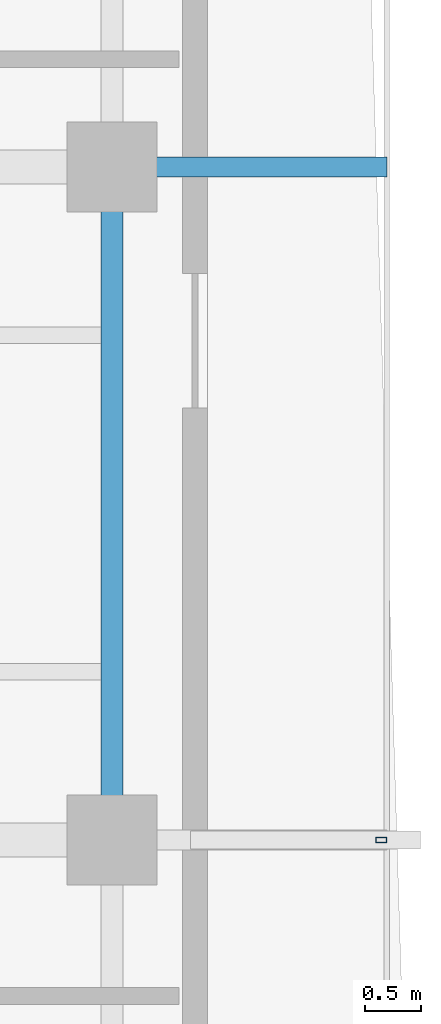
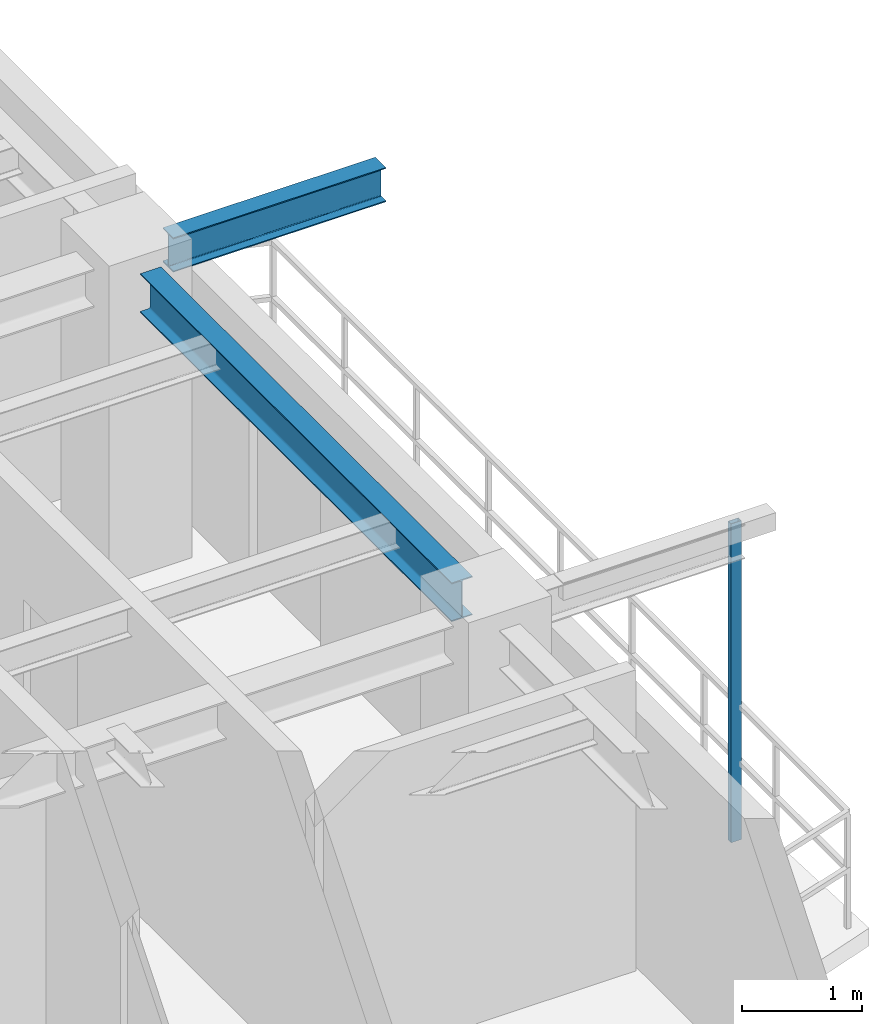
# One storey, part 7 of 15: 2 beams, 1 member.
"""IFC4 building model written with IfcOpenShell, lengths in metres."""

import ifcopenshell
import ifcopenshell.guid

model = None  # the IFC model being written
_history = None  # IfcOwnerHistory: only IFC2X3 demands one
_inside = {}  # id of a spatial element -> (the spatial element, [elements in it])
_under = {}  # id of a project, library or spatial element -> (it, [spatial elements below it])
_declared = {}  # id of a project -> (the project, [libraries it declares])
_typed = {}  # id of a type object -> (the type object, [elements of that type])
_made_of = {}  # id of a material, layer set ... -> (it, [elements and type objects made of it])


def new_model(schema):
    """Start an empty IFC model of exactly this schema.

    Asked for "IFC4X3", IfcOpenShell would pick the latest addendum, in which some entities
    have other attributes; the version numbers below select the first issue.
    IFC2X3 requires an IfcOwnerHistory on every rooted entity: one is made here for all.
    """
    global model, _history
    if schema == "IFC4X3":
        model = ifcopenshell.file(schema_version=(4, 3, 0, 0))
    else:
        model = ifcopenshell.file(schema=schema)
    _inside.clear()
    _under.clear()
    _declared.clear()
    _typed.clear()
    _made_of.clear()
    _history = None
    if model.schema == "IFC2X3":
        org = make("IfcOrganization", Name="unknown")
        user = make(
            "IfcPersonAndOrganization",
            ThePerson=make("IfcPerson", FamilyName="unknown"),
            TheOrganization=org,
        )
        app = make(
            "IfcApplication",
            ApplicationDeveloper=org,
            Version="unknown",
            ApplicationFullName="unknown",
            ApplicationIdentifier="unknown",
        )
        _history = make(
            "IfcOwnerHistory",
            OwningUser=user,
            OwningApplication=app,
            ChangeAction="ADDED",
            CreationDate=0,
        )
    return model


def make(cls, **values):
    """One entity of the class cls with the attributes given. An attribute that is None is left unset."""
    return model.create_entity(
        cls, **{name: value for name, value in values.items() if value is not None}
    )


def rooted(cls, **values):
    """An entity with a GlobalId (a new one), such as an element, a storey or a relation."""
    return make(cls, GlobalId=ifcopenshell.guid.new(), OwnerHistory=_history, **values)


def si_unit(unit_type, name, prefix=None):
    """IfcSIUnit, for example si_unit("LENGTHUNIT", "METRE", prefix="MILLI")."""
    return make("IfcSIUnit", UnitType=unit_type, Prefix=prefix, Name=name)


def assignment(units):
    """IfcUnitAssignment: the units of a project."""
    return None if units is None else make("IfcUnitAssignment", Units=units)


def point(xyz):
    """IfcCartesianPoint."""
    return None if xyz is None else make("IfcCartesianPoint", Coordinates=xyz)


def direction(xyz):
    """IfcDirection."""
    return None if xyz is None else make("IfcDirection", DirectionRatios=xyz)


def frame(location, z_axis=None, x_axis=None):
    """IfcAxis2Placement3D, a coordinate frame: its origin and axes. An axis left out is left unset."""
    return make(
        "IfcAxis2Placement3D",
        Location=point(location),
        Axis=direction(z_axis),
        RefDirection=direction(x_axis),
    )


def frame_2d(location, x_axis=None):
    """IfcAxis2Placement2D, a coordinate frame in the plane: its origin and x axis."""
    return make(
        "IfcAxis2Placement2D", Location=point(location), RefDirection=direction(x_axis)
    )


def origin():
    """The frame at (0, 0, 0) with its axes left unset."""
    return frame((0.0, 0.0, 0.0))


def origin_2d():
    """The frame at (0, 0) in the plane with its x axis left unset."""
    return frame_2d((0.0, 0.0))


def place(relative_to, where):
    """IfcLocalPlacement: puts the frame where relative to a parent placement (None: the world)."""
    return make(
        "IfcLocalPlacement", PlacementRelTo=relative_to, RelativePlacement=where
    )


def context(
    kind, dimensions, precision=None, world=None, true_north=None, identifier=None
):
    """IfcGeometricRepresentationContext, for example the 3D "Model" context."""
    return make(
        "IfcGeometricRepresentationContext",
        ContextIdentifier=identifier,
        ContextType=kind,
        CoordinateSpaceDimension=dimensions,
        Precision=precision,
        WorldCoordinateSystem=world,
        TrueNorth=true_north,
    )


def subcontext(parent, identifier, kind, view, scale=None):
    """IfcGeometricRepresentationSubContext, for example "Body" below "Model"."""
    return make(
        "IfcGeometricRepresentationSubContext",
        ContextIdentifier=identifier,
        ContextType=kind,
        ParentContext=parent,
        TargetScale=scale,
        TargetView=view,
    )


def project(units=None, contexts=None):
    """IfcProject with its units and contexts."""
    return rooted(
        "IfcProject",
        Name="project",
        RepresentationContexts=contexts,
        UnitsInContext=assignment(units),
    )


def spatial(cls, under=None, at=None, **own):
    """A site, building, storey or space (cls), placed at a placement, below another one or the project."""
    s = rooted(cls, ObjectPlacement=at, **own)
    if under is not None:
        _under.setdefault(under.id(), (under, []))[1].append(s)
    return s


def profile(cls, at=None, kind="AREA", **sizes):
    """A parametric profile (cls). Its sizes go by their IFC names, for example OverallWidth=200.0."""
    return make(cls, ProfileType=kind, Position=at, **sizes)


def hollow_rectangle(**sizes):
    """IfcRectangleHollowProfileDef."""
    return profile("IfcRectangleHollowProfileDef", **sizes)


def i_section(**sizes):
    """IfcIShapeProfileDef."""
    return profile("IfcIShapeProfileDef", **sizes)


def extrude(swept, where, along, depth):
    """IfcExtrudedAreaSolid: the profile swept, set in the frame where, extruded along a direction by depth."""
    return make(
        "IfcExtrudedAreaSolid",
        SweptArea=swept,
        Position=where,
        ExtrudedDirection=direction(along),
        Depth=depth,
    )


def shape(context_of_items, identifier, shape_type, items):
    """IfcShapeRepresentation: the items that make up one representation, for example the "Body"."""
    return make(
        "IfcShapeRepresentation",
        ContextOfItems=context_of_items,
        RepresentationIdentifier=identifier,
        RepresentationType=shape_type,
        Items=items,
    )


def source(mapping_origin, context_of_items, identifier, shape_type, items):
    """IfcRepresentationMap: a shape defined once, which mapped items show again and again."""
    return make(
        "IfcRepresentationMap",
        MappingOrigin=mapping_origin,
        MappedRepresentation=shape(context_of_items, identifier, shape_type, items),
    )


def transform(
    local_origin,
    x_axis=None,
    y_axis=None,
    z_axis=None,
    scale=None,
    scale2=None,
    scale3=None,
    uniform=True,
):
    """IfcCartesianTransformationOperator3D, or its non-uniform kind. x_axis, y_axis, z_axis: its Axis1, 2, 3."""
    if uniform:
        return make(
            "IfcCartesianTransformationOperator3D",
            Axis1=direction(x_axis),
            Axis2=direction(y_axis),
            LocalOrigin=point(local_origin),
            Scale=scale,
            Axis3=direction(z_axis),
        )
    return make(
        "IfcCartesianTransformationOperator3DnonUniform",
        Axis1=direction(x_axis),
        Axis2=direction(y_axis),
        LocalOrigin=point(local_origin),
        Scale=scale,
        Axis3=direction(z_axis),
        Scale2=scale2,
        Scale3=scale3,
    )


def mapped(mapping_source, mapping_target):
    """IfcMappedItem: shows the shape of a source again, moved by a transform."""
    return make(
        "IfcMappedItem", MappingSource=mapping_source, MappingTarget=mapping_target
    )


def material(Name=None, Category=None):
    """IfcMaterial."""
    return make("IfcMaterial", Name=Name, Category=Category)


def material_profile(
    of_material, cross_section, Name=None, Category=None, Priority=None
):
    """IfcMaterialProfile: a cross section and its material."""
    return make(
        "IfcMaterialProfile",
        Name=Name,
        Material=of_material,
        Profile=cross_section,
        Priority=Priority,
        Category=Category,
    )


def profile_set(profiles, Name=None, composite=None):
    """IfcMaterialProfileSet."""
    return make(
        "IfcMaterialProfileSet",
        Name=Name,
        MaterialProfiles=profiles,
        CompositeProfile=composite,
    )


def made_of(thing, what):
    """Note that an element or type object is made of a material, layer set ...; save() writes the relation."""
    if what is not None:
        _made_of.setdefault(what.id(), (what, []))[1].append(thing)
    return thing


def type_object(cls, material=None, **own):
    """A type object (cls), such as IfcWallType, which elements share."""
    return made_of(rooted(cls, **own), material)


def element(
    cls,
    number,
    at=None,
    inside=None,
    cuts=None,
    type_object=None,
    material=None,
    context=None,
    identifier="Body",
    shape_type=None,
    held_by="IfcProductDefinitionShape",
    body=None,
    shapes=None,
    **own,
):
    """One element of the class cls, such as IfcWall. Its Tag is "e" and its number.

    at: its placement. inside: the storey or other place that contains it. cuts: it is an
    opening in that element (IfcRelVoidsElement). A single representation is given by context,
    identifier, shape_type and body (its items); several are given by shapes. held_by: the class
    of the entity that holds the representations. save() writes the other relations.
    """
    e = rooted(cls, Tag="e%d" % number, ObjectPlacement=at, **own)
    if body is not None:
        shapes = [shape(context, identifier, shape_type, body)]
    if shapes is not None:
        e.Representation = make(held_by, Representations=shapes)
    if inside is not None:
        _inside.setdefault(inside.id(), (inside, []))[1].append(e)
    if cuts is not None:
        rooted(
            "IfcRelVoidsElement", RelatingBuildingElement=cuts, RelatedOpeningElement=e
        )
    if type_object is not None:
        _typed.setdefault(type_object.id(), (type_object, []))[1].append(e)
    return made_of(e, material)


def aggregate(whole, parts):
    """IfcRelAggregates: a whole, such as a stair, and the parts it consists of."""
    return rooted("IfcRelAggregates", RelatingObject=whole, RelatedObjects=parts)


def save(model, path):
    """Write the relations noted so far, then the file.

    IfcRelAggregates (storeys below a building ...), IfcRelContainedInSpatialStructure (elements
    in a storey), IfcRelDefinesByType, IfcRelAssociatesMaterial and IfcRelDeclares: one each for
    every whole, place, type object, material and project.
    """
    for whole, parts in _under.values():
        aggregate(whole, parts)
    for where, things in _inside.values():
        rooted(
            "IfcRelContainedInSpatialStructure",
            RelatedElements=things,
            RelatingStructure=where,
        )
    for kind, things in _typed.values():
        rooted("IfcRelDefinesByType", RelatedObjects=things, RelatingType=kind)
    for what, things in _made_of.values():
        rooted("IfcRelAssociatesMaterial", RelatedObjects=things, RelatingMaterial=what)
    for by, libraries in _declared.values():
        rooted("IfcRelDeclares", RelatingContext=by, RelatedDefinitions=libraries)
    model.write(path)


model = new_model("IFC4")

# Units and contexts
model_context = context("Model", 3, precision=1e-05, world=origin(), true_north=direction((0.0, 1.0)))
body_context = subcontext(model_context, "Body", "Model", "MODEL_VIEW")
ifc_project = project(units=[si_unit("LENGTHUNIT", "METRE"), si_unit("AREAUNIT", "SQUARE_METRE"), si_unit("VOLUMEUNIT", "CUBIC_METRE"), si_unit("PLANEANGLEUNIT", "RADIAN"), si_unit("MASSUNIT", "GRAM", prefix="KILO"), si_unit("THERMODYNAMICTEMPERATUREUNIT", "KELVIN"), si_unit("POWERUNIT", "WATT")], contexts=[model_context])

# Site, building, storey
site_placement = place(None, origin())
site = spatial("IfcSite", under=ifc_project, at=site_placement, CompositionType="ELEMENT")
building_placement = place(site_placement, origin())
building = spatial("IfcBuilding", under=site, at=building_placement, Name="Qiaomeng Ring Towers", CompositionType="ELEMENT")
storey_placement = place(building_placement, frame((0.0, 0.0, 200.25)))
storey = spatial("IfcBuildingStorey", under=building, at=storey_placement, Name="L58", CompositionType="ELEMENT", Elevation=200.25)

# Beams
ifc_material_1 = material(Name="Steel Q355B", Category="steel")
ifc_material_profile_1 = material_profile(ifc_material_1, i_section(OverallWidth=0.198974609375, OverallDepth=0.39599609375, WebThickness=0.007080078125, FlangeThickness=0.010986328125, FilletRadius=0.01611328125, at=origin_2d()), Name="HN 396x199x7x11")
ifc_profile_set_1 = profile_set([ifc_material_profile_1], Name="Steel Q355B")
beam_type_1 = type_object("IfcBeamType", Name="STR-BM-HN396", PredefinedType="SPANDREL", material=ifc_profile_set_1)
shared_shape_1 = source(origin(), body_context, "Body", "SweptSolid", [
    extrude(i_section(OverallWidth=0.198974609375, OverallDepth=0.39599609375, WebThickness=0.007080078125, FlangeThickness=0.010986328125, FilletRadius=0.01611328125, at=origin_2d()), origin(), (0.0, 0.0, 1.0), 5.2021484375),
])
beam_1_placement = place(storey_placement, frame((34.949951171875, 20.39892578125, 2.8720703125), z_axis=(0.0, 1.0, 0.0), x_axis=(-1.0, 0.0, 0.0)))
element("IfcBeam", 1, at=beam_1_placement, inside=storey, type_object=beam_type_1, Name="L58 beam STR-SP-L58-T1-E2-E3", PredefinedType="SPANDREL", context=body_context, shape_type="MappedRepresentation", body=[
    mapped(shared_shape_1, transform((0.0, 0.0, 0.0), x_axis=(1.0, 0.0, 0.0), y_axis=(0.0, 1.0, 0.0), z_axis=(0.0, 0.0, 1.0), scale=1.0)),
])
ifc_material_profile_2 = material_profile(ifc_material_1, i_section(OverallWidth=0.175048828125, OverallDepth=0.35009765625, WebThickness=0.007080078125, FlangeThickness=0.010986328125, FilletRadius=0.013916015625, at=origin_2d()), Name="HN 350x175x7x11")
ifc_profile_set_2 = profile_set([ifc_material_profile_2], Name="Steel Q355B")
beam_type_2 = type_object("IfcBeamType", Name="STR-BM-HN350", PredefinedType="JOIST", material=ifc_profile_set_2)
shared_shape_2 = source(origin(), body_context, "Body", "SweptSolid", [
    extrude(i_section(OverallWidth=0.175048828125, OverallDepth=0.35009765625, WebThickness=0.007080078125, FlangeThickness=0.010986328125, FilletRadius=0.013916015625, at=origin_2d()), origin(), (0.0, 0.0, 1.0), 2.05078125),
])
beam_2_placement = place(storey_placement, frame((35.34912109375, 26.0, 2.89501953125), z_axis=(1.0, 0.0, 0.0), x_axis=(0.0, 1.0, 0.0)))
element("IfcBeam", 2, at=beam_2_placement, inside=storey, type_object=beam_type_2, Name="L58 beam STR-BALBM-L58-E3", PredefinedType="JOIST", context=body_context, shape_type="MappedRepresentation", body=[
    mapped(shared_shape_2, transform((0.0, 0.0, 0.0), x_axis=(1.0, 0.0, 0.0), y_axis=(0.0, 1.0, 0.0), z_axis=(0.0, 0.0, 1.0), scale=1.0)),
])

# Member
ifc_material_2 = material(Name="Stainless steel 316", Category="steel")
ifc_material_profile_3 = material_profile(ifc_material_2, hollow_rectangle(XDim=0.050048828125, YDim=0.10009765625, WallThickness=0.00390625, at=origin_2d()), Name="SS TRELLIS 100x50")
ifc_profile_set_3 = profile_set([ifc_material_profile_3], Name="Stainless steel 316")
member_type = type_object("IfcMemberType", Name="ARC-TR-POST2", PredefinedType="STUD", material=ifc_profile_set_3)
shared_shape_3 = source(origin(), body_context, "Body", "SweptSolid", [
    extrude(hollow_rectangle(XDim=0.050048828125, YDim=0.10009765625, WallThickness=0.00390625, at=origin_2d()), origin(), (0.0, 0.0, 1.0), 3.25),
])
member_placement = place(storey_placement, frame((37.35009765625, 20.0, -0.179931640625), z_axis=(0.0, 0.0, 1.0), x_axis=(0.0, 1.0, 0.0)))
element("IfcMember", 3, at=member_placement, inside=storey, type_object=member_type, Name="L58 Outer Ventilated Trellis Post E", PredefinedType="STUD", context=body_context, shape_type="MappedRepresentation", body=[
    mapped(shared_shape_3, transform((0.0, 0.0, 0.0), x_axis=(1.0, 0.0, 0.0), y_axis=(0.0, 1.0, 0.0), z_axis=(0.0, 0.0, 1.0), scale=1.0)),
])

save(model, "model.ifc")
